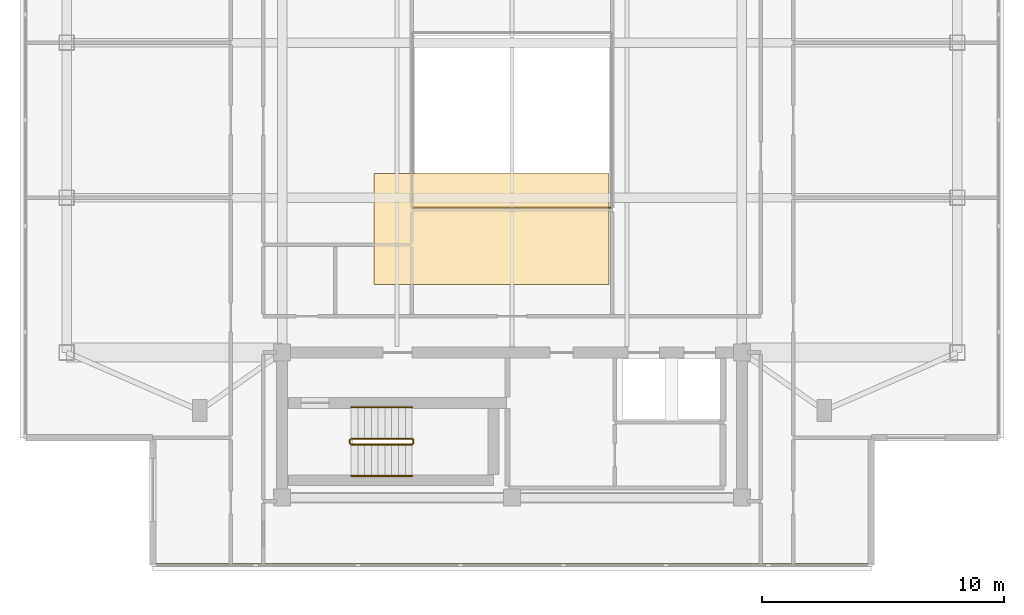
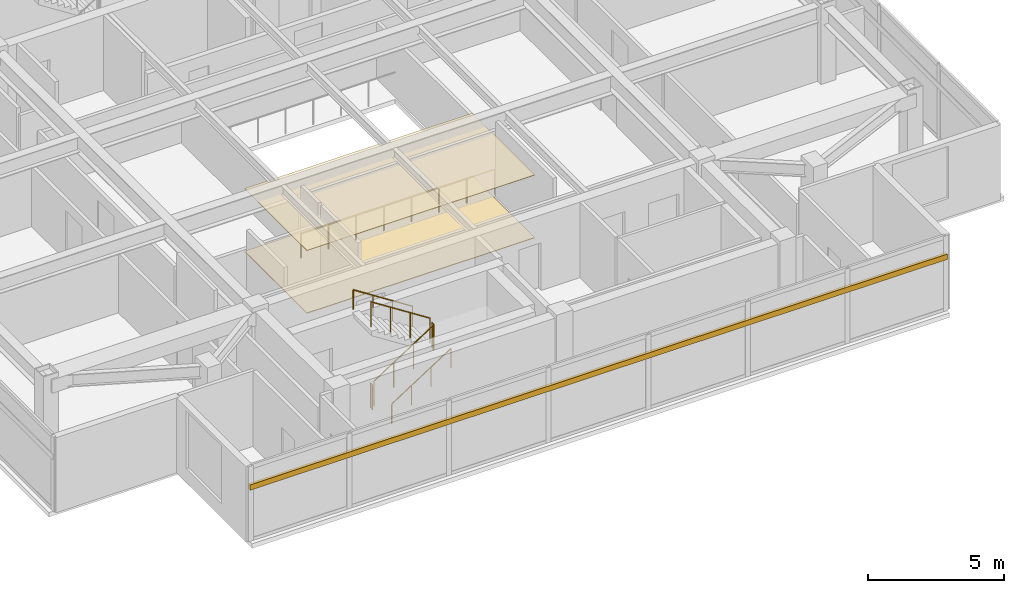
# One storey, part 9 of 12: 7 railings, 2 coverings, 1 shading device.
"""IFC4 building model written with IfcOpenShell, lengths in metres."""

from ifc_helpers import new_model, si_unit, direction, frame, origin, origin_2d, place, context, subcontext, project, spatial, polyline, rectangle, circle, outline, extrude, material, layer, layer_set, material_profile, profile_set, type_object, element, save


model = new_model("IFC4")

# Units and contexts
model_context = context("Model", 3, precision=1e-05, world=origin(), true_north=direction((0.0, 1.0)))
body_context = subcontext(model_context, "Body", "Model", "MODEL_VIEW")
ifc_project = project(units=[si_unit("LENGTHUNIT", "METRE"), si_unit("AREAUNIT", "SQUARE_METRE"), si_unit("VOLUMEUNIT", "CUBIC_METRE"), si_unit("PLANEANGLEUNIT", "RADIAN"), si_unit("MASSUNIT", "GRAM", prefix="KILO")], contexts=[model_context])

# Site, building, storey
site_placement = place(None, origin())
site = spatial("IfcSite", under=ifc_project, at=site_placement, CompositionType="ELEMENT")
building_placement = place(site_placement, origin())
building = spatial("IfcBuilding", under=site, at=building_placement, Name="Mirazonda Arch Towers", CompositionType="ELEMENT")
storey_placement = place(building_placement, frame((0.0, 0.0, 252.699951171875)))
storey = spatial("IfcBuildingStorey", under=building, at=storey_placement, Name="L72", CompositionType="ELEMENT", Elevation=252.699951171875)

# Shading device
ifc_material_1 = material(Name="Kiln-Fired Architectural Terracotta", Category="masonry")
ifc_material_profile = material_profile(ifc_material_1, rectangle(XDim=0.1201171875, YDim=0.239990234375, at=origin_2d()), Name="TERRA-BAG-120x240")
ifc_profile_set = profile_set([ifc_material_profile], Name="Kiln-Fired Architectural Terracotta")
shading_device_type = type_object("IfcShadingDeviceType", Name="BAGUETTE-1", PredefinedType="USERDEFINED", material=ifc_profile_set)
shading_device_placement = place(storey_placement, frame((35.344970703125, 9.612060546875, 2.43359375), z_axis=(-1.0, 0.0, 0.0), x_axis=(0.0, -1.0, 0.0)))
element("IfcShadingDevice", 1, at=shading_device_placement, inside=storey, type_object=shading_device_type, Name="L72 Glazed Terracotta Sun-Screen Baguette CW-L72-T1-S", ObjectType="BAGUETTE", PredefinedType="USERDEFINED", context=body_context, shape_type="SweptSolid", body=[
    extrude(rectangle(XDim=0.1201171875, YDim=0.239990234375, at=origin_2d()), origin(), (0.0, 0.0, 1.0), 29.68994140625),
])

# Railing
ifc_material_2 = material(Name="Insulated Low-E Solar Glass", Category="glass")
railing_type_1 = type_object("IfcRailingType", Name="BALUSTRADE-ATRIUM-1150", PredefinedType="BALUSTRADE", material=ifc_material_2)
railing_1_placement = place(storey_placement, frame((16.3798828125, 24.3798828125, 0.0)))
element("IfcRailing", 2, at=railing_1_placement, inside=storey, type_object=railing_type_1, Name="L72 L72 Sky-Lookout Oculus Balustrade 01", PredefinedType="BALUSTRADE", context=body_context, shape_type="SweptSolid", body=[
    extrude(circle(Radius=0.02392578125, at=origin_2d()), frame((0.0, 0.0, 1.1259765625), z_axis=(1.0, 0.0, 0.0), x_axis=(0.0, 1.0, 0.0)), (0.0, 0.0, 1.0), 8.240234375),
    extrude(circle(Radius=0.02099609375, at=origin_2d()), origin(), (0.0, 0.0, 1.0), 1.101806640625),
    extrude(circle(Radius=0.02099609375, at=origin_2d()), frame((1.17724609375, 0.0, 0.0)), (0.0, 0.0, 1.0), 1.101806640625),
    extrude(circle(Radius=0.02099609375, at=origin_2d()), frame((2.354248046875, 0.0, 0.0)), (0.0, 0.0, 1.0), 1.101806640625),
    extrude(circle(Radius=0.02099609375, at=origin_2d()), frame((3.531494140625, 0.0, 0.0)), (0.0, 0.0, 1.0), 1.101806640625),
    extrude(circle(Radius=0.02099609375, at=origin_2d()), frame((4.708740234375, 0.0, 0.0)), (0.0, 0.0, 1.0), 1.101806640625),
    extrude(circle(Radius=0.02099609375, at=origin_2d()), frame((5.885986328125, 0.0, 0.0)), (0.0, 0.0, 1.0), 1.101806640625),
    extrude(circle(Radius=0.02099609375, at=origin_2d()), frame((7.06298828125, 0.0, 0.0)), (0.0, 0.0, 1.0), 1.101806640625),
    extrude(circle(Radius=0.02099609375, at=origin_2d()), frame((8.240234375, 0.0, 0.0)), (0.0, 0.0, 1.0), 1.101806640625),
])

# Coverings
ifc_material_3 = material(Name="Acoustic Mineral Fibre Ceiling")
ifc_layer_1 = layer(ifc_material_3, 0.02490234375, Name="COV-CEIL-ACOUSTIC")
ifc_layer_set_1 = layer_set([ifc_layer_1], Name="Acoustic Mineral Fibre Ceiling")
covering_type_1 = type_object("IfcCoveringType", Name="COV-CEIL-ACOUSTIC", PredefinedType="CEILING", material=ifc_layer_set_1)
covering_1_placement = place(storey_placement, frame((0.0, 0.0, 2.824951171875)))
element("IfcCovering", 3, at=covering_1_placement, inside=storey, type_object=covering_type_1, Name="L72 Suspended Acoustic Ceiling", PredefinedType="CEILING", context=body_context, shape_type="SweptSolid", body=[
    extrude(outline(polyline([(14.800048828125, 21.199951171875), (24.5, 21.199951171875), (24.5, 25.800048828125), (14.800048828125, 25.800048828125), (14.800048828125, 21.199951171875)])), origin(), (0.0, 0.0, 1.0), 0.025146484375),
])
ifc_material_4 = material(Name="Polished Terrazzo Stone Finish", Category="masonry")
ifc_layer_2 = layer(ifc_material_4, 0.030029296875, Name="COV-FLOOR-STONE")
ifc_layer_set_2 = layer_set([ifc_layer_2], Name="Polished Terrazzo Stone Finish")
covering_type_2 = type_object("IfcCoveringType", Name="COV-FLOOR-STONE", PredefinedType="FLOORING", material=ifc_layer_set_2)
covering_2_placement = place(storey_placement, origin())
element("IfcCovering", 4, at=covering_2_placement, inside=storey, type_object=covering_type_2, Name="L72 Polished Terrazzo Lobby Flooring", PredefinedType="FLOORING", context=body_context, shape_type="SweptSolid", body=[
    extrude(outline(polyline([(14.800048828125, 21.199951171875), (24.5, 21.199951171875), (24.5, 25.800048828125), (14.800048828125, 25.800048828125), (14.800048828125, 21.199951171875)])), origin(), (0.0, 0.0, 1.0), 0.030029296875),
])

# Railings
ifc_material_5 = material(Name="Architectural Brushed Steel S355", Category="steel")
railing_type_2 = type_object("IfcRailingType", Name="GUARD-STAIR-1120", PredefinedType="GUARDRAIL", material=ifc_material_5)
railing_2_placement = place(storey_placement, frame((13.85009765625, 14.60009765625, 0.179931640625)))
element("IfcRailing", 5, at=railing_2_placement, inside=storey, type_object=railing_type_2, Name="L72 ST-T1S stair guard 1", PredefinedType="GUARDRAIL", context=body_context, shape_type="SweptSolid", body=[
    extrude(circle(Radius=0.02392578125, at=origin_2d()), frame((0.0, 0.0, 1.1259765625), z_axis=(0.841162588446, 0.0, 0.540782303519), x_axis=(0.0, 1.0, 0.0)), (0.0, 0.0, 1.0), 2.995849609375),
    extrude(circle(Radius=0.02099609375, at=origin_2d()), origin(), (0.0, 0.0, 1.0), 1.101806640625),
    extrude(circle(Radius=0.02099609375, at=origin_2d()), frame((0.840087890625, 0.0, 0.5400390625)), (0.0, 0.0, 1.0), 1.101806640625),
    extrude(circle(Radius=0.02099609375, at=origin_2d()), frame((1.679931640625, 0.0, 1.080078125)), (0.0, 0.0, 1.0), 1.101806640625),
    extrude(circle(Radius=0.02099609375, at=origin_2d()), frame((2.52001953125, 0.0, 1.6201171875)), (0.0, 0.0, 1.0), 1.101806640625),
])
railing_3_placement = place(storey_placement, frame((16.419921875, 14.64990234375, 1.800048828125)))
element("IfcRailing", 6, at=railing_3_placement, inside=storey, type_object=railing_type_2, Name="L72 ST-T1S stair guard 2", PredefinedType="GUARDRAIL", context=body_context, shape_type="SweptSolid", body=[
    extrude(circle(Radius=0.02392578125, at=origin_2d()), frame((0.0, 0.0, 1.1259765625), z_axis=(0.0, 1.0, 0.0), x_axis=(-1.0, 0.0, 0.0)), (0.0, 0.0, 1.0), 0.14013671875),
    extrude(circle(Radius=0.02099609375, at=origin_2d()), origin(), (0.0, 0.0, 1.0), 1.101806640625),
    extrude(circle(Radius=0.02099609375, at=origin_2d()), frame((0.0, 0.14013671875, 0.0)), (0.0, 0.0, 1.0), 1.101806640625),
])
railing_4_placement = place(storey_placement, frame((16.3701171875, 14.840087890625, 1.97998046875)))
element("IfcRailing", 7, at=railing_4_placement, inside=storey, type_object=railing_type_2, Name="L72 ST-T1S stair guard 3", PredefinedType="GUARDRAIL", context=body_context, shape_type="SweptSolid", body=[
    extrude(circle(Radius=0.02392578125, at=origin_2d()), frame((0.0, 0.0, 1.1259765625), z_axis=(-0.841162588446, 0.0, 0.540782303519), x_axis=(0.0, -1.0, 0.0)), (0.0, 0.0, 1.0), 2.995849609375),
    extrude(circle(Radius=0.02099609375, at=origin_2d()), origin(), (0.0, 0.0, 1.0), 1.101806640625),
    extrude(circle(Radius=0.02099609375, at=origin_2d()), frame((-0.840087890625, 0.0, 0.5400390625)), (0.0, 0.0, 1.0), 1.101806640625),
    extrude(circle(Radius=0.02099609375, at=origin_2d()), frame((-1.679931640625, 0.0, 1.080078125)), (0.0, 0.0, 1.0), 1.101806640625),
    extrude(circle(Radius=0.02099609375, at=origin_2d()), frame((-2.52001953125, 0.0, 1.6201171875)), (0.0, 0.0, 1.0), 1.101806640625),
])
railing_5_placement = place(storey_placement, frame((13.800048828125, 14.64990234375, 0.0)))
element("IfcRailing", 8, at=railing_5_placement, inside=storey, type_object=railing_type_2, Name="L72 ST-T1S stair guard 4", PredefinedType="GUARDRAIL", context=body_context, shape_type="SweptSolid", body=[
    extrude(circle(Radius=0.02392578125, at=origin_2d()), frame((0.0, 0.0, 1.1259765625), z_axis=(0.0, 1.0, 0.0), x_axis=(-1.0, 0.0, 0.0)), (0.0, 0.0, 1.0), 0.14013671875),
    extrude(circle(Radius=0.02099609375, at=origin_2d()), origin(), (0.0, 0.0, 1.0), 1.101806640625),
    extrude(circle(Radius=0.02099609375, at=origin_2d()), frame((0.0, 0.14013671875, 0.0)), (0.0, 0.0, 1.0), 1.101806640625),
])
railing_type_3 = type_object("IfcRailingType", Name="HANDRAIL-915", PredefinedType="HANDRAIL", material=ifc_material_5)
railing_6_placement = place(storey_placement, frame((13.85009765625, 13.300048828125, 0.179931640625)))
element("IfcRailing", 9, at=railing_6_placement, inside=storey, type_object=railing_type_3, Name="L72 ST-T1S stair handrail 1", PredefinedType="HANDRAIL", context=body_context, shape_type="SweptSolid", body=[
    extrude(circle(Radius=0.02392578125, at=origin_2d()), frame((0.0, 0.0, 0.8759765625), z_axis=(0.841162588446, 0.0, 0.540782303519), x_axis=(0.0, 1.0, 0.0)), (0.0, 0.0, 1.0), 2.995849609375),
    extrude(circle(Radius=0.02099609375, at=origin_2d()), origin(), (0.0, 0.0, 1.0), 0.851806640625),
    extrude(circle(Radius=0.02099609375, at=origin_2d()), frame((0.840087890625, 0.0, 0.5400390625)), (0.0, 0.0, 1.0), 0.851806640625),
    extrude(circle(Radius=0.02099609375, at=origin_2d()), frame((1.679931640625, 0.0, 1.080078125)), (0.0, 0.0, 1.0), 0.851806640625),
    extrude(circle(Radius=0.02099609375, at=origin_2d()), frame((2.52001953125, 0.0, 1.6201171875)), (0.0, 0.0, 1.0), 0.851806640625),
])
railing_7_placement = place(storey_placement, frame((16.3701171875, 16.139892578125, 1.97998046875)))
element("IfcRailing", 10, at=railing_7_placement, inside=storey, type_object=railing_type_3, Name="L72 ST-T1S stair handrail 2", PredefinedType="HANDRAIL", context=body_context, shape_type="SweptSolid", body=[
    extrude(circle(Radius=0.02392578125, at=origin_2d()), frame((0.0, 0.0, 0.8759765625), z_axis=(-0.841162588446, 0.0, 0.540782303519), x_axis=(0.0, -1.0, 0.0)), (0.0, 0.0, 1.0), 2.995849609375),
    extrude(circle(Radius=0.02099609375, at=origin_2d()), origin(), (0.0, 0.0, 1.0), 0.851806640625),
    extrude(circle(Radius=0.02099609375, at=origin_2d()), frame((-0.840087890625, 0.0, 0.5400390625)), (0.0, 0.0, 1.0), 0.851806640625),
    extrude(circle(Radius=0.02099609375, at=origin_2d()), frame((-1.679931640625, 0.0, 1.080078125)), (0.0, 0.0, 1.0), 0.851806640625),
    extrude(circle(Radius=0.02099609375, at=origin_2d()), frame((-2.52001953125, 0.0, 1.6201171875)), (0.0, 0.0, 1.0), 0.851806640625),
])

save(model, "model.ifc")
